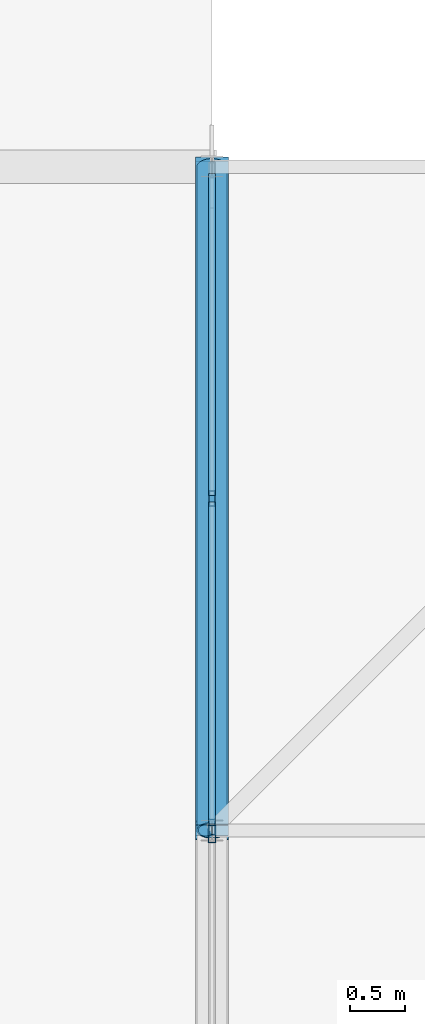
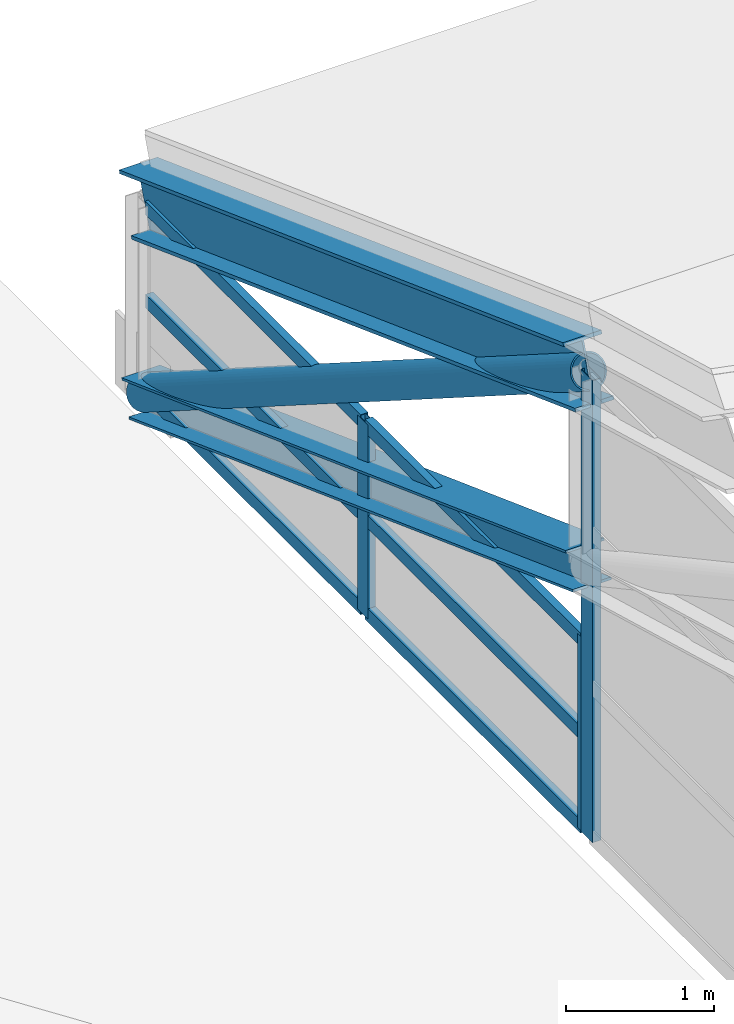
# One storey, part 39 of 204: 12 members, 2 elements without a shape of their own.
"""IFC4 building model written with IfcOpenShell, lengths in metres."""

import ifcopenshell
import ifcopenshell.guid

model = None  # the IFC model being written
_history = None  # IfcOwnerHistory: only IFC2X3 demands one
_inside = {}  # id of a spatial element -> (the spatial element, [elements in it])
_under = {}  # id of a project, library or spatial element -> (it, [spatial elements below it])
_declared = {}  # id of a project -> (the project, [libraries it declares])
_typed = {}  # id of a type object -> (the type object, [elements of that type])
_made_of = {}  # id of a material, layer set ... -> (it, [elements and type objects made of it])


def new_model(schema):
    """Start an empty IFC model of exactly this schema.

    Asked for "IFC4X3", IfcOpenShell would pick the latest addendum, in which some entities
    have other attributes; the version numbers below select the first issue.
    IFC2X3 requires an IfcOwnerHistory on every rooted entity: one is made here for all.
    """
    global model, _history
    if schema == "IFC4X3":
        model = ifcopenshell.file(schema_version=(4, 3, 0, 0))
    else:
        model = ifcopenshell.file(schema=schema)
    _inside.clear()
    _under.clear()
    _declared.clear()
    _typed.clear()
    _made_of.clear()
    _history = None
    if model.schema == "IFC2X3":
        org = make("IfcOrganization", Name="unknown")
        user = make(
            "IfcPersonAndOrganization",
            ThePerson=make("IfcPerson", FamilyName="unknown"),
            TheOrganization=org,
        )
        app = make(
            "IfcApplication",
            ApplicationDeveloper=org,
            Version="unknown",
            ApplicationFullName="unknown",
            ApplicationIdentifier="unknown",
        )
        _history = make(
            "IfcOwnerHistory",
            OwningUser=user,
            OwningApplication=app,
            ChangeAction="ADDED",
            CreationDate=0,
        )
    return model


def make(cls, **values):
    """One entity of the class cls with the attributes given. An attribute that is None is left unset."""
    return model.create_entity(
        cls, **{name: value for name, value in values.items() if value is not None}
    )


def rooted(cls, **values):
    """An entity with a GlobalId (a new one), such as an element, a storey or a relation."""
    return make(cls, GlobalId=ifcopenshell.guid.new(), OwnerHistory=_history, **values)


def si_unit(unit_type, name, prefix=None):
    """IfcSIUnit, for example si_unit("LENGTHUNIT", "METRE", prefix="MILLI")."""
    return make("IfcSIUnit", UnitType=unit_type, Prefix=prefix, Name=name)


def assignment(units):
    """IfcUnitAssignment: the units of a project."""
    return None if units is None else make("IfcUnitAssignment", Units=units)


def point(xyz):
    """IfcCartesianPoint."""
    return None if xyz is None else make("IfcCartesianPoint", Coordinates=xyz)


def direction(xyz):
    """IfcDirection."""
    return None if xyz is None else make("IfcDirection", DirectionRatios=xyz)


def frame(location, z_axis=None, x_axis=None):
    """IfcAxis2Placement3D, a coordinate frame: its origin and axes. An axis left out is left unset."""
    return make(
        "IfcAxis2Placement3D",
        Location=point(location),
        Axis=direction(z_axis),
        RefDirection=direction(x_axis),
    )


def frame_2d(location, x_axis=None):
    """IfcAxis2Placement2D, a coordinate frame in the plane: its origin and x axis."""
    return make(
        "IfcAxis2Placement2D", Location=point(location), RefDirection=direction(x_axis)
    )


def origin():
    """The frame at (0, 0, 0) with its axes left unset."""
    return frame((0.0, 0.0, 0.0))


def origin_2d():
    """The frame at (0, 0) in the plane with its x axis left unset."""
    return frame_2d((0.0, 0.0))


def place(relative_to, where):
    """IfcLocalPlacement: puts the frame where relative to a parent placement (None: the world)."""
    return make(
        "IfcLocalPlacement", PlacementRelTo=relative_to, RelativePlacement=where
    )


def context(
    kind, dimensions, precision=None, world=None, true_north=None, identifier=None
):
    """IfcGeometricRepresentationContext, for example the 3D "Model" context."""
    return make(
        "IfcGeometricRepresentationContext",
        ContextIdentifier=identifier,
        ContextType=kind,
        CoordinateSpaceDimension=dimensions,
        Precision=precision,
        WorldCoordinateSystem=world,
        TrueNorth=true_north,
    )


def subcontext(parent, identifier, kind, view, scale=None):
    """IfcGeometricRepresentationSubContext, for example "Body" below "Model"."""
    return make(
        "IfcGeometricRepresentationSubContext",
        ContextIdentifier=identifier,
        ContextType=kind,
        ParentContext=parent,
        TargetScale=scale,
        TargetView=view,
    )


def project(units=None, contexts=None):
    """IfcProject with its units and contexts."""
    return rooted(
        "IfcProject",
        Name="project",
        RepresentationContexts=contexts,
        UnitsInContext=assignment(units),
    )


def spatial(cls, under=None, at=None, **own):
    """A site, building, storey or space (cls), placed at a placement, below another one or the project."""
    s = rooted(cls, ObjectPlacement=at, **own)
    if under is not None:
        _under.setdefault(under.id(), (under, []))[1].append(s)
    return s


def profile(cls, at=None, kind="AREA", **sizes):
    """A parametric profile (cls). Its sizes go by their IFC names, for example OverallWidth=200.0."""
    return make(cls, ProfileType=kind, Position=at, **sizes)


def hollow_rectangle(**sizes):
    """IfcRectangleHollowProfileDef."""
    return profile("IfcRectangleHollowProfileDef", **sizes)


def hollow_circle(**sizes):
    """IfcCircleHollowProfileDef."""
    return profile("IfcCircleHollowProfileDef", **sizes)


def i_section(**sizes):
    """IfcIShapeProfileDef."""
    return profile("IfcIShapeProfileDef", **sizes)


def extrude(swept, where, along, depth):
    """IfcExtrudedAreaSolid: the profile swept, set in the frame where, extruded along a direction by depth."""
    return make(
        "IfcExtrudedAreaSolid",
        SweptArea=swept,
        Position=where,
        ExtrudedDirection=direction(along),
        Depth=depth,
    )


def shape(context_of_items, identifier, shape_type, items):
    """IfcShapeRepresentation: the items that make up one representation, for example the "Body"."""
    return make(
        "IfcShapeRepresentation",
        ContextOfItems=context_of_items,
        RepresentationIdentifier=identifier,
        RepresentationType=shape_type,
        Items=items,
    )


def material(Name=None, Category=None):
    """IfcMaterial."""
    return make("IfcMaterial", Name=Name, Category=Category)


def layer(
    of_material, thickness, ventilated=None, Name=None, Category=None, Priority=None
):
    """IfcMaterialLayer: one layer of a wall or slab, of a material (None: an air gap)."""
    return make(
        "IfcMaterialLayer",
        Material=of_material,
        LayerThickness=thickness,
        IsVentilated=ventilated,
        Name=Name,
        Category=Category,
        Priority=Priority,
    )


def layer_set(layers, Name=None):
    """IfcMaterialLayerSet."""
    return make("IfcMaterialLayerSet", MaterialLayers=layers, LayerSetName=Name)


def material_profile(
    of_material, cross_section, Name=None, Category=None, Priority=None
):
    """IfcMaterialProfile: a cross section and its material."""
    return make(
        "IfcMaterialProfile",
        Name=Name,
        Material=of_material,
        Profile=cross_section,
        Priority=Priority,
        Category=Category,
    )


def profile_set(profiles, Name=None, composite=None):
    """IfcMaterialProfileSet."""
    return make(
        "IfcMaterialProfileSet",
        Name=Name,
        MaterialProfiles=profiles,
        CompositeProfile=composite,
    )


def made_of(thing, what):
    """Note that an element or type object is made of a material, layer set ...; save() writes the relation."""
    if what is not None:
        _made_of.setdefault(what.id(), (what, []))[1].append(thing)
    return thing


def type_object(cls, material=None, **own):
    """A type object (cls), such as IfcWallType, which elements share."""
    return made_of(rooted(cls, **own), material)


def element(
    cls,
    number,
    at=None,
    inside=None,
    cuts=None,
    type_object=None,
    material=None,
    context=None,
    identifier="Body",
    shape_type=None,
    held_by="IfcProductDefinitionShape",
    body=None,
    shapes=None,
    **own,
):
    """One element of the class cls, such as IfcWall. Its Tag is "e" and its number.

    at: its placement. inside: the storey or other place that contains it. cuts: it is an
    opening in that element (IfcRelVoidsElement). A single representation is given by context,
    identifier, shape_type and body (its items); several are given by shapes. held_by: the class
    of the entity that holds the representations. save() writes the other relations.
    """
    e = rooted(cls, Tag="e%d" % number, ObjectPlacement=at, **own)
    if body is not None:
        shapes = [shape(context, identifier, shape_type, body)]
    if shapes is not None:
        e.Representation = make(held_by, Representations=shapes)
    if inside is not None:
        _inside.setdefault(inside.id(), (inside, []))[1].append(e)
    if cuts is not None:
        rooted(
            "IfcRelVoidsElement", RelatingBuildingElement=cuts, RelatedOpeningElement=e
        )
    if type_object is not None:
        _typed.setdefault(type_object.id(), (type_object, []))[1].append(e)
    return made_of(e, material)


def aggregate(whole, parts):
    """IfcRelAggregates: a whole, such as a stair, and the parts it consists of."""
    return rooted("IfcRelAggregates", RelatingObject=whole, RelatedObjects=parts)


def save(model, path):
    """Write the relations noted so far, then the file.

    IfcRelAggregates (storeys below a building ...), IfcRelContainedInSpatialStructure (elements
    in a storey), IfcRelDefinesByType, IfcRelAssociatesMaterial and IfcRelDeclares: one each for
    every whole, place, type object, material and project.
    """
    for whole, parts in _under.values():
        aggregate(whole, parts)
    for where, things in _inside.values():
        rooted(
            "IfcRelContainedInSpatialStructure",
            RelatedElements=things,
            RelatingStructure=where,
        )
    for kind, things in _typed.values():
        rooted("IfcRelDefinesByType", RelatedObjects=things, RelatingType=kind)
    for what, things in _made_of.values():
        rooted("IfcRelAssociatesMaterial", RelatedObjects=things, RelatingMaterial=what)
    for by, libraries in _declared.values():
        rooted("IfcRelDeclares", RelatingContext=by, RelatedDefinitions=libraries)
    model.write(path)


model = new_model("IFC4")

# Units and contexts
model_context = context("Model", 3, precision=1e-05, world=origin(), true_north=direction((0.0, 1.0)))
body_context = subcontext(model_context, "Body", "Model", "MODEL_VIEW")
ifc_project = project(units=[si_unit("LENGTHUNIT", "METRE"), si_unit("AREAUNIT", "SQUARE_METRE"), si_unit("VOLUMEUNIT", "CUBIC_METRE"), si_unit("PLANEANGLEUNIT", "RADIAN"), si_unit("MASSUNIT", "GRAM", prefix="KILO")], contexts=[model_context])

# Site, building, storey
site_placement = place(None, origin())
site = spatial("IfcSite", under=ifc_project, at=site_placement, CompositionType="ELEMENT")
building_placement = place(site_placement, origin())
building = spatial("IfcBuilding", under=site, at=building_placement, Name="Zilviju Railside Exhibition Hall", CompositionType="ELEMENT")
storey_placement = place(building_placement, frame((0.0, 0.0, 21.0)))
storey = spatial("IfcBuildingStorey", under=building, at=storey_placement, Name="RF", CompositionType="ELEMENT", Elevation=21.0)

# Curtain wall, members
ifc_material_1 = material(Name="Thermally broken aluminium-steel triple-glazed curtain wall", Category="steel")
ifc_layer_1 = layer(ifc_material_1, 0.179931640625)
ifc_layer_set_1 = layer_set([ifc_layer_1], Name="Thermally broken aluminium-steel triple-glazed curtain wall")
curtain_wall_type_1 = type_object("IfcCurtainWallType", Name="CW-BAY-17", PredefinedType="USERDEFINED", material=ifc_layer_set_1)
curtain_wall_1_placement = place(storey_placement, origin())
curtain_wall_1 = element("IfcCurtainWall", 1, at=curtain_wall_1_placement, inside=storey, type_object=curtain_wall_type_1, Name="South Hall Arch Tympanum Glazing West P9", ObjectType="GLAZED CURTAIN WALL", PredefinedType="USERDEFINED")
ifc_material_2 = material(Name="Thermally broken anodized aluminium mullion", Category="aluminium")
ifc_material_profile_1 = material_profile(ifc_material_2, hollow_rectangle(XDim=0.06005859375, YDim=0.139892578125, WallThickness=0.0048828125, at=origin_2d()), Name="MULLION 140x60x5")
ifc_profile_set_1 = profile_set([ifc_material_profile_1], Name="Thermally broken anodized aluminium mullion")
member_type_1 = type_object("IfcMemberType", Name="CWM-60x140", PredefinedType="MULLION", material=ifc_profile_set_1)
member_1_placement = place(storey_placement, frame((78.0, 48.030029296875, -7.800048828125), z_axis=(0.0, 0.0, 1.0), x_axis=(-1.0, 0.0, 0.0)))
member_1 = element("IfcMember", 2, at=member_1_placement, type_object=member_type_1, Name="CW-17 mullion 1", PredefinedType="MULLION", context=body_context, shape_type="SweptSolid", body=[
    extrude(hollow_rectangle(XDim=0.06005859375, YDim=0.139892578125, WallThickness=0.0048828125, at=origin_2d()), origin(), (0.0, 0.0, 1.0), 1.60009765625),
])
member_2_placement = place(storey_placement, frame((78.0, 51.0, -7.800048828125), z_axis=(0.0, 0.0, 1.0), x_axis=(-1.0, 0.0, 0.0)))
member_2 = element("IfcMember", 3, at=member_2_placement, type_object=member_type_1, Name="CW-17 mullion 2", PredefinedType="MULLION", context=body_context, shape_type="SweptSolid", body=[
    extrude(hollow_rectangle(XDim=0.06005859375, YDim=0.139892578125, WallThickness=0.0048828125, at=origin_2d()), origin(), (0.0, 0.0, 1.0), 1.60009765625),
])

# Curtain wall, member
ifc_layer_2 = layer(ifc_material_1, 0.179931640625)
ifc_layer_set_2 = layer_set([ifc_layer_2], Name="Thermally broken aluminium-steel triple-glazed curtain wall")
curtain_wall_type_2 = type_object("IfcCurtainWallType", Name="CW-BAY-16", PredefinedType="USERDEFINED", material=ifc_layer_set_2)
curtain_wall_2_placement = place(storey_placement, origin())
curtain_wall_2 = element("IfcCurtainWall", 4, at=curtain_wall_2_placement, inside=storey, type_object=curtain_wall_type_2, Name="South Hall Arch Tympanum Glazing West P8", ObjectType="GLAZED CURTAIN WALL", PredefinedType="USERDEFINED")
ifc_material_profile_2 = material_profile(ifc_material_2, hollow_rectangle(XDim=0.06494140625, YDim=0.159912109375, WallThickness=0.0048828125, at=origin_2d()), Name="MULLION 160x65x5")
ifc_profile_set_2 = profile_set([ifc_material_profile_2], Name="Thermally broken anodized aluminium mullion")
member_type_2 = type_object("IfcMemberType", Name="CWM-65x160", PredefinedType="MULLION", material=ifc_profile_set_2)
member_3_placement = place(storey_placement, frame((78.0, 47.967529296875, -7.800048828125), z_axis=(0.0, 0.0, 1.0), x_axis=(-1.0, 0.0, 0.0)))
member_3 = element("IfcMember", 5, at=member_3_placement, type_object=member_type_2, Name="CW-16 mullion 3", PredefinedType="MULLION", context=body_context, shape_type="SweptSolid", body=[
    extrude(hollow_rectangle(XDim=0.06494140625, YDim=0.159912109375, WallThickness=0.0048828125, at=origin_2d()), origin(), (0.0, 0.0, 1.0), 3.81201171875),
])
aggregate(curtain_wall_2, [member_3])

# Member
ifc_material_3 = material(Name="Thermally broken anodized aluminium transom", Category="aluminium")
ifc_material_profile_3 = material_profile(ifc_material_3, hollow_rectangle(XDim=0.06005859375, YDim=0.110107421875, WallThickness=0.0048828125, at=origin_2d()), Name="TRANSOM 110x60x5")
ifc_profile_set_3 = profile_set([ifc_material_profile_3], Name="Thermally broken anodized aluminium transom")
member_type_3 = type_object("IfcMemberType", Name="CWT-60x110", PredefinedType="USERDEFINED", material=ifc_profile_set_3)
member_4_placement = place(storey_placement, frame((78.0, 48.06005859375, -7.77001953125), z_axis=(0.0, 1.0, 0.0), x_axis=(-1.0, 0.0, 0.0)))
member_4 = element("IfcMember", 6, at=member_4_placement, type_object=member_type_3, Name="CW-17 transom 1.1", ObjectType="TRANSOM", PredefinedType="USERDEFINED", context=body_context, shape_type="SweptSolid", body=[
    extrude(hollow_rectangle(XDim=0.06005859375, YDim=0.110107421875, WallThickness=0.0048828125, at=origin_2d()), origin(), (0.0, 0.0, 1.0), 2.909912109375),
])

member_5_placement = place(storey_placement, frame((78.0, 48.06005859375, -7.0), z_axis=(0.0, 1.0, 0.0), x_axis=(-1.0, 0.0, 0.0)))
member_5 = element("IfcMember", 7, at=member_5_placement, type_object=member_type_3, Name="CW-17 transom 1.2", ObjectType="TRANSOM", PredefinedType="USERDEFINED", context=body_context, shape_type="SweptSolid", body=[
    extrude(hollow_rectangle(XDim=0.06005859375, YDim=0.110107421875, WallThickness=0.0048828125, at=origin_2d()), origin(), (0.0, 0.0, 1.0), 2.909912109375),
])

member_6_placement = place(storey_placement, frame((78.0, 48.06005859375, -6.22998046875), z_axis=(0.0, 1.0, 0.0), x_axis=(-1.0, 0.0, 0.0)))
member_6 = element("IfcMember", 8, at=member_6_placement, type_object=member_type_3, Name="CW-17 transom 1.3", ObjectType="TRANSOM", PredefinedType="USERDEFINED", context=body_context, shape_type="SweptSolid", body=[
    extrude(hollow_rectangle(XDim=0.06005859375, YDim=0.110107421875, WallThickness=0.0048828125, at=origin_2d()), origin(), (0.0, 0.0, 1.0), 2.909912109375),
])

member_7_placement = place(storey_placement, frame((78.0, 51.030029296875, -7.77001953125), z_axis=(0.0, 1.0, 0.0), x_axis=(-1.0, 0.0, 0.0)))
member_7 = element("IfcMember", 9, at=member_7_placement, type_object=member_type_3, Name="CW-17 transom 2.1", ObjectType="TRANSOM", PredefinedType="USERDEFINED", context=body_context, shape_type="SweptSolid", body=[
    extrude(hollow_rectangle(XDim=0.06005859375, YDim=0.110107421875, WallThickness=0.0048828125, at=origin_2d()), origin(), (0.0, 0.0, 1.0), 2.909912109375),
])

member_8_placement = place(storey_placement, frame((78.0, 51.030029296875, -7.0), z_axis=(0.0, 1.0, 0.0), x_axis=(-1.0, 0.0, 0.0)))
member_8 = element("IfcMember", 10, at=member_8_placement, type_object=member_type_3, Name="CW-17 transom 2.2", ObjectType="TRANSOM", PredefinedType="USERDEFINED", context=body_context, shape_type="SweptSolid", body=[
    extrude(hollow_rectangle(XDim=0.06005859375, YDim=0.110107421875, WallThickness=0.0048828125, at=origin_2d()), origin(), (0.0, 0.0, 1.0), 2.909912109375),
])

member_9_placement = place(storey_placement, frame((78.0, 51.030029296875, -6.22998046875), z_axis=(0.0, 1.0, 0.0), x_axis=(-1.0, 0.0, 0.0)))
member_9 = element("IfcMember", 11, at=member_9_placement, type_object=member_type_3, Name="CW-17 transom 2.3", ObjectType="TRANSOM", PredefinedType="USERDEFINED", context=body_context, shape_type="SweptSolid", body=[
    extrude(hollow_rectangle(XDim=0.06005859375, YDim=0.110107421875, WallThickness=0.0048828125, at=origin_2d()), origin(), (0.0, 0.0, 1.0), 2.909912109375),
])

aggregate(curtain_wall_1, [member_1, member_2, member_4, member_5, member_6, member_7, member_8, member_9])

# Members
ifc_material_4 = material(Name="Steel S355ML", Category="steel")
ifc_material_profile_4 = material_profile(ifc_material_4, hollow_circle(Radius=0.136474609375, WallThickness=0.012451171875, at=origin_2d()), Name="CHS 273.0x12.5")
ifc_profile_set_4 = profile_set([ifc_material_profile_4], Name="Steel S355ML")
member_type_4 = type_object("IfcMemberType", Name="TR-BR-CHS273", PredefinedType="BRACE", material=ifc_profile_set_4)
member_10_placement = place(storey_placement, frame((78.0, 48.0, -3.987548828125), z_axis=(0.0, 0.844023315733, -0.536306481872), x_axis=(-1.0, 0.0, 0.0)))
element("IfcMember", 12, at=member_10_placement, inside=storey, type_object=member_type_4, Name="V1 Parabolic Arch Web Diagonal X=78.0 P9", PredefinedType="BRACE", context=body_context, shape_type="SweptSolid", body=[
    extrude(hollow_circle(Radius=0.136474609375, WallThickness=0.012451171875, at=origin_2d()), origin(), (0.0, 0.0, 1.0), 7.10888671875),
])
ifc_material_profile_5 = material_profile(ifc_material_4, i_section(OverallWidth=0.300048828125, OverallDepth=0.300048828125, WebThickness=0.010986328125, FlangeThickness=0.01904296875, at=origin_2d()), Name="HEB 300")
ifc_profile_set_5 = profile_set([ifc_material_profile_5], Name="Steel S355ML")
member_type_5 = type_object("IfcMemberType", Name="TR-CH-HEB300", PredefinedType="CHORD", material=ifc_profile_set_5)
member_11_placement = place(storey_placement, frame((78.0, 48.0, -5.587646484375), z_axis=(0.0, 0.938247917098, -0.345963648468), x_axis=(-1.0, 0.0, 0.0)))
element("IfcMember", 13, at=member_11_placement, inside=storey, type_object=member_type_5, Name="V1 Parabolic Arch Bottom Chord X=78.0 P9", PredefinedType="CHORD", context=body_context, shape_type="SweptSolid", body=[
    extrude(i_section(OverallWidth=0.300048828125, OverallDepth=0.300048828125, WebThickness=0.010986328125, FlangeThickness=0.01904296875, at=origin_2d()), origin(), (0.0, 0.0, 1.0), 6.39501953125),
])
ifc_material_profile_6 = material_profile(ifc_material_4, i_section(OverallWidth=0.300048828125, OverallDepth=0.5, WebThickness=0.014404296875, FlangeThickness=0.028076171875, at=origin_2d()), Name="HEB 500")
ifc_profile_set_6 = profile_set([ifc_material_profile_6], Name="Steel S355ML")
member_type_6 = type_object("IfcMemberType", Name="TR-CH-HEB500-ML", PredefinedType="CHORD", material=ifc_profile_set_6)
member_12_placement = place(storey_placement, frame((78.0, 48.0, -3.987548828125), z_axis=(0.0, 0.938247917098, -0.345963648468), x_axis=(-1.0, 0.0, 0.0)))
element("IfcMember", 14, at=member_12_placement, inside=storey, type_object=member_type_6, Name="V1 Parabolic Arch Top Chord X=78.0 P9", PredefinedType="CHORD", context=body_context, shape_type="SweptSolid", body=[
    extrude(i_section(OverallWidth=0.300048828125, OverallDepth=0.5, WebThickness=0.014404296875, FlangeThickness=0.028076171875, at=origin_2d()), origin(), (0.0, 0.0, 1.0), 6.39501953125),
])

save(model, "model.ifc")
